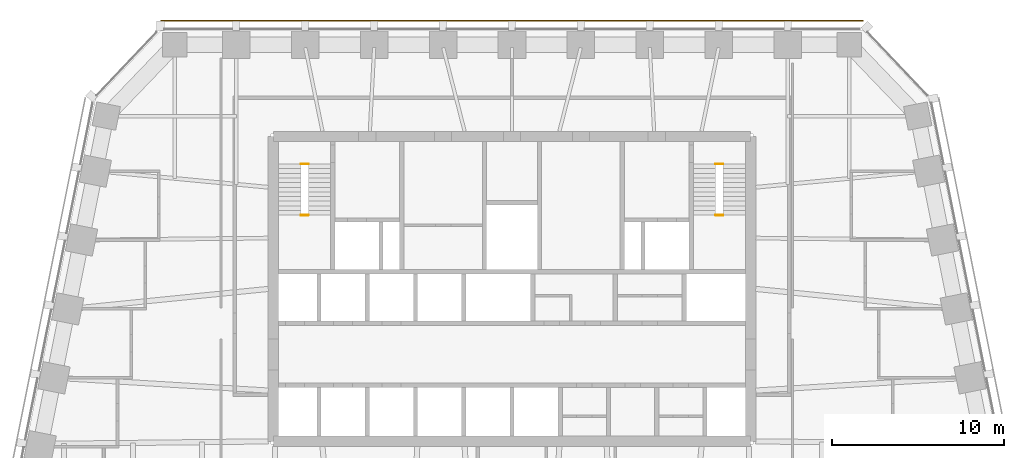
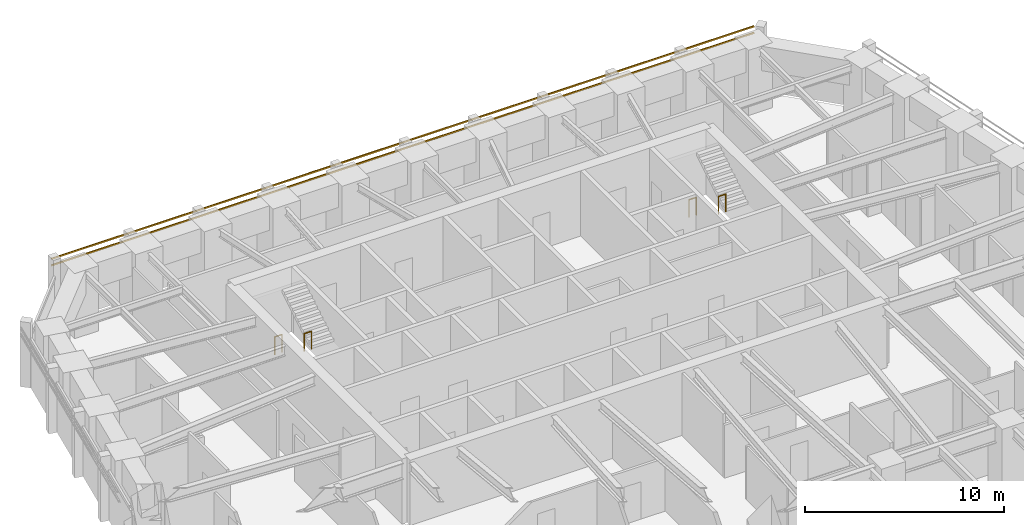
# One storey, part 10 of 10: 4 railings, 2 shading devices.
"""IFC4 building model written with IfcOpenShell, lengths in metres."""

from ifc_helpers import new_model, si_unit, direction, frame, origin, origin_2d, place, context, subcontext, project, spatial, rectangle, circle, extrude, material, material_profile, profile_set, type_object, element, save


model = new_model("IFC4")

# Units and contexts
model_context = context("Model", 3, precision=1e-05, world=origin(), true_north=direction((0.0, 1.0)))
body_context = subcontext(model_context, "Body", "Model", "MODEL_VIEW")
ifc_project = project(units=[si_unit("LENGTHUNIT", "METRE"), si_unit("AREAUNIT", "SQUARE_METRE"), si_unit("VOLUMEUNIT", "CUBIC_METRE"), si_unit("PLANEANGLEUNIT", "RADIAN"), si_unit("MASSUNIT", "GRAM", prefix="KILO")], contexts=[model_context])

# Site, building, storey
site_placement = place(None, origin())
site = spatial("IfcSite", under=ifc_project, at=site_placement, CompositionType="ELEMENT")
building_placement = place(site_placement, origin())
building = spatial("IfcBuilding", under=site, at=building_placement, Name="Isbrekke Arena Tower", CompositionType="ELEMENT")
storey_placement = place(building_placement, frame((0.0, 0.0, 194.0)))
storey = spatial("IfcBuildingStorey", under=building, at=storey_placement, Name="L44", CompositionType="ELEMENT", Elevation=194.0)

# Shading devices
ifc_material_1 = material(Name="Terracotta", Category="masonry")
ifc_material_profile = material_profile(ifc_material_1, rectangle(XDim=0.06005859375, YDim=0.06005859375, at=origin_2d()), Name="BAGUETTE 60X60")
ifc_profile_set = profile_set([ifc_material_profile], Name="Terracotta")
shading_device_type = type_object("IfcShadingDeviceType", Name="BG1 TERRACOTTA BAGUETTE 60 x 60", PredefinedType="USERDEFINED", material=ifc_profile_set)
for number, where, z_axis, x_axis, name in (
    (1, (20.39990234375, 30.580078125, 3.280029296875), (-1.0, 0.0, 0.0), (0.0, -1.0, 0.0), "BG1 terracotta baguette N1 L44"),
    (2, (20.39990234375, 30.580078125, 3.679931640625), (-1.0, 0.0, 0.0), (0.0, -1.0, 0.0), "BG1 terracotta baguette N2 L44"),
):
    element("IfcShadingDevice", number, at=place(storey_placement, frame(where, z_axis=z_axis, x_axis=x_axis)), inside=storey, type_object=shading_device_type, Name=name, ObjectType="TERRACOTTA BAGUETTE", PredefinedType="USERDEFINED", context=body_context, shape_type="SweptSolid", body=[
        extrude(rectangle(XDim=0.06005859375, YDim=0.06005859375, at=origin_2d()), origin(), (0.0, 0.0, 1.0), 40.7998046875),
    ])

# Railings
ifc_material_2 = material(Name="Steel stair guard, vertical bars, steel handrail", Category="steel")
railing_type = type_object("IfcRailingType", Name="GR3 STAIR WELL GUARD 1100", PredefinedType="GUARDRAIL", material=ifc_material_2)
for number, where, name in (
    (3, (-12.25, 22.25, 0.0), "GR3 stair well guard ST1 L44"),
    (4, (-12.25, 19.280029296875, 2.0), "GR3 stair well guard ST1 L44"),
    (5, (11.824951171875, 22.25, 0.0), "GR3 stair well guard ST2 L44"),
    (6, (11.824951171875, 19.280029296875, 2.0), "GR3 stair well guard ST2 L44"),
):
    element("IfcRailing", number, at=place(storey_placement, frame(where)), inside=storey, type_object=railing_type, Name=name, PredefinedType="GUARDRAIL", context=body_context, shape_type="SweptSolid", body=[
        extrude(circle(Radius=0.02392578125, at=origin_2d()), frame((0.0, 0.0, 1.076171875), z_axis=(1.0, 0.0, 0.0), x_axis=(0.0, 1.0, 0.0)), (0.0, 0.0, 1.0), 0.425048828125),
        extrude(circle(Radius=0.02099609375, at=origin_2d()), origin(), (0.0, 0.0, 1.0), 1.052001953125),
        extrude(circle(Radius=0.02099609375, at=origin_2d()), frame((0.425048828125, 0.0, 0.0)), (0.0, 0.0, 1.0), 1.052001953125),
    ])

save(model, "model.ifc")
